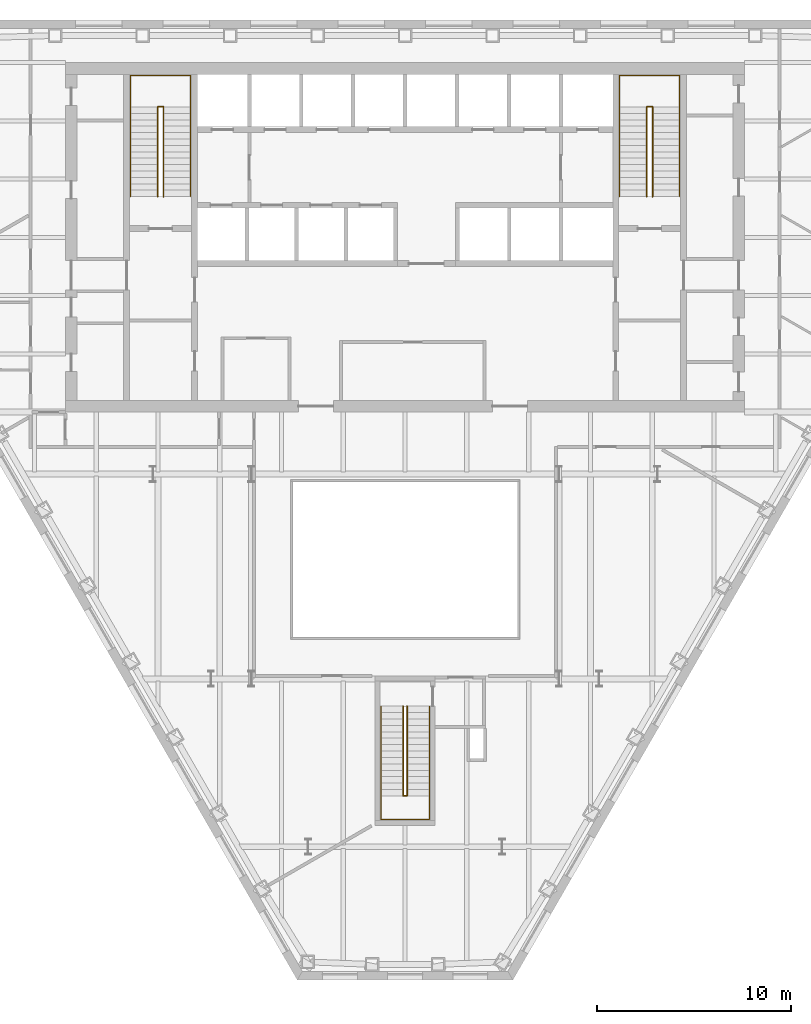
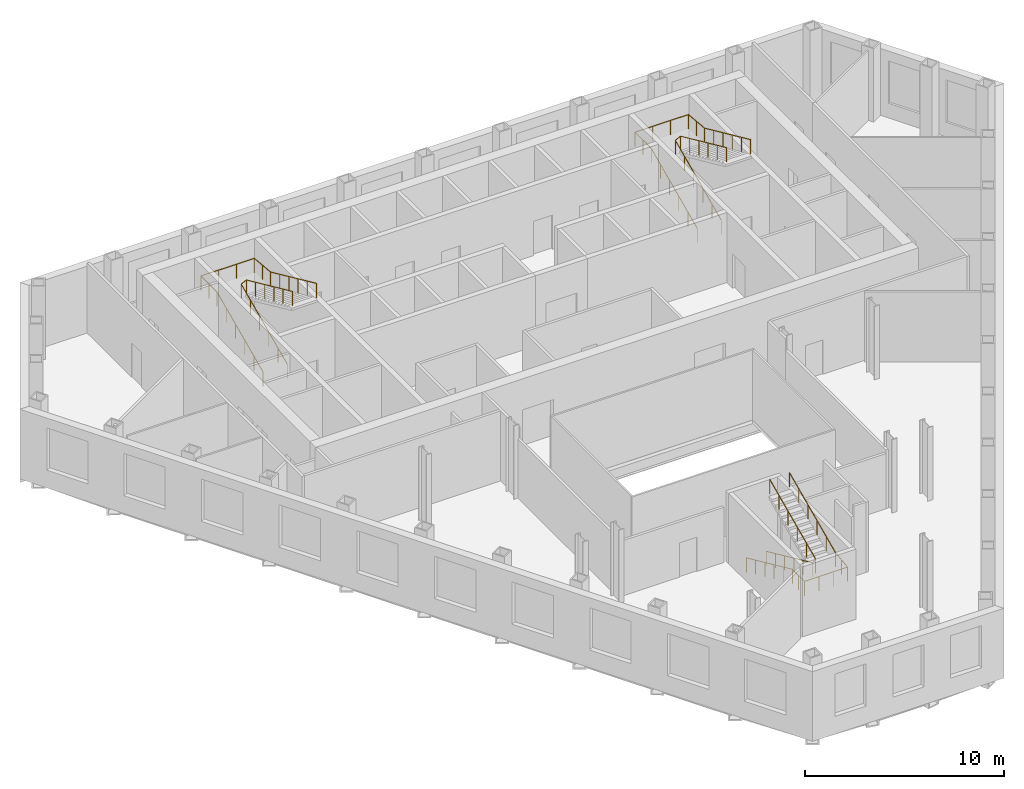
# One storey, part 12 of 12: 6 railings.
"""IFC4 building model written with IfcOpenShell, lengths in metres."""

from ifc_helpers import new_model, si_unit, direction, frame, origin, origin_2d, place, context, subcontext, project, spatial, circle, extrude, material, type_object, element, save


model = new_model("IFC4")

# Units and contexts
model_context = context("Model", 3, precision=1e-05, world=origin(), true_north=direction((0.0, 1.0)))
body_context = subcontext(model_context, "Body", "Model", "MODEL_VIEW")
ifc_project = project(units=[si_unit("LENGTHUNIT", "METRE"), si_unit("AREAUNIT", "SQUARE_METRE"), si_unit("VOLUMEUNIT", "CUBIC_METRE"), si_unit("PLANEANGLEUNIT", "RADIAN"), si_unit("MASSUNIT", "GRAM", prefix="KILO")], contexts=[model_context])

# Site, building, storey
site_placement = place(None, origin())
site = spatial("IfcSite", under=ifc_project, at=site_placement, CompositionType="ELEMENT")
building_placement = place(site_placement, origin())
building = spatial("IfcBuilding", under=site, at=building_placement, Name="Njiva Tower", CompositionType="ELEMENT")
storey_placement = place(building_placement, frame((0.0, 0.0, 60.3)))
storey = spatial("IfcBuildingStorey", under=building, at=storey_placement, Name="L12", CompositionType="ELEMENT", Elevation=60.3)

# Railings
ifc_material = material(Name="Stainless steel", Category="steel")
railing_type = type_object("IfcRailingType", Name="RL1 Stair handrail 900", PredefinedType="HANDRAIL", material=ifc_material)
railing_1_placement = place(storey_placement, frame((-14.15, 11.1, 0.15)))
element("IfcRailing", 1, at=railing_1_placement, inside=storey, type_object=railing_type, Name="Stair A handrail", PredefinedType="HANDRAIL", context=body_context, shape_type="SweptSolid", body=[
    extrude(circle(Radius=0.024, at=origin_2d()), frame((0.0, 0.0, 0.876), z_axis=(0.0, 0.910366477463, 0.413802944301), x_axis=(-1.0, 0.0, 0.0)), (0.0, 0.0, 1.0), 5.0749),
    extrude(circle(Radius=0.024, at=origin_2d()), frame((0.0, 4.62, 2.976), z_axis=(0.0, 1.0, 0.0), x_axis=(-1.0, 0.0, 0.0)), (0.0, 0.0, 1.0), 1.63),
    extrude(circle(Radius=0.024, at=origin_2d()), frame((0.0, 6.25, 2.976), z_axis=(1.0, 0.0, 0.0), x_axis=(0.0, 1.0, 0.0)), (0.0, 0.0, 1.0), 3.1),
    extrude(circle(Radius=0.024, at=origin_2d()), frame((3.1, 6.25, 2.976), z_axis=(0.0, -0.995792447047, 0.091637341753), x_axis=(1.0, 0.0, 0.0)), (0.0, 0.0, 1.0), 1.6369),
    extrude(circle(Radius=0.024, at=origin_2d()), frame((3.1, 4.62, 3.126), z_axis=(0.0, -0.910366477463, 0.413802944301), x_axis=(1.0, 0.0, 0.0)), (0.0, 0.0, 1.0), 5.0749),
    extrude(circle(Radius=0.021, at=origin_2d()), origin(), (0.0, 0.0, 1.0), 0.852),
    extrude(circle(Radius=0.021, at=origin_2d()), frame((0.0, 0.924, 0.42)), (0.0, 0.0, 1.0), 0.852),
    extrude(circle(Radius=0.021, at=origin_2d()), frame((0.0, 1.848, 0.84)), (0.0, 0.0, 1.0), 0.852),
    extrude(circle(Radius=0.021, at=origin_2d()), frame((0.0, 2.772, 1.26)), (0.0, 0.0, 1.0), 0.852),
    extrude(circle(Radius=0.021, at=origin_2d()), frame((0.0, 3.696, 1.68)), (0.0, 0.0, 1.0), 0.852),
    extrude(circle(Radius=0.021, at=origin_2d()), frame((0.0, 4.62, 2.1)), (0.0, 0.0, 1.0), 0.852),
    extrude(circle(Radius=0.021, at=origin_2d()), frame((0.0, 5.435, 2.1)), (0.0, 0.0, 1.0), 0.852),
    extrude(circle(Radius=0.021, at=origin_2d()), frame((0.0, 6.25, 2.1)), (0.0, 0.0, 1.0), 0.852),
    extrude(circle(Radius=0.021, at=origin_2d()), frame((1.0333, 6.25, 2.1)), (0.0, 0.0, 1.0), 0.852),
    extrude(circle(Radius=0.021, at=origin_2d()), frame((2.0667, 6.25, 2.1)), (0.0, 0.0, 1.0), 0.852),
    extrude(circle(Radius=0.021, at=origin_2d()), frame((3.1, 6.25, 2.1)), (0.0, 0.0, 1.0), 0.852),
    extrude(circle(Radius=0.021, at=origin_2d()), frame((3.1, 5.435, 2.175)), (0.0, 0.0, 1.0), 0.852),
    extrude(circle(Radius=0.021, at=origin_2d()), frame((3.1, 4.62, 2.25)), (0.0, 0.0, 1.0), 0.852),
    extrude(circle(Radius=0.021, at=origin_2d()), frame((3.1, 3.696, 2.67)), (0.0, 0.0, 1.0), 0.852),
    extrude(circle(Radius=0.021, at=origin_2d()), frame((3.1, 2.772, 3.09)), (0.0, 0.0, 1.0), 0.852),
    extrude(circle(Radius=0.021, at=origin_2d()), frame((3.1, 1.848, 3.51)), (0.0, 0.0, 1.0), 0.852),
    extrude(circle(Radius=0.021, at=origin_2d()), frame((3.1, 0.924, 3.93)), (0.0, 0.0, 1.0), 0.852),
    extrude(circle(Radius=0.021, at=origin_2d()), frame((3.1, 0.0, 4.35)), (0.0, 0.0, 1.0), 0.852),
])
railing_2_placement = place(storey_placement, frame((-12.75, 11.1, 0.15)))
element("IfcRailing", 2, at=railing_2_placement, inside=storey, type_object=railing_type, Name="Stair A handrail", PredefinedType="HANDRAIL", context=body_context, shape_type="SweptSolid", body=[
    extrude(circle(Radius=0.024, at=origin_2d()), frame((0.0, 0.0, 0.876), z_axis=(0.0, 0.910366477463, 0.413802944301), x_axis=(-1.0, 0.0, 0.0)), (0.0, 0.0, 1.0), 5.0749),
    extrude(circle(Radius=0.024, at=origin_2d()), frame((0.0, 4.62, 2.976), z_axis=(0.894427191, 0.0, 0.4472135955), x_axis=(0.0, 1.0, 0.0)), (0.0, 0.0, 1.0), 0.3354),
    extrude(circle(Radius=0.024, at=origin_2d()), frame((0.3, 4.62, 3.126), z_axis=(0.0, -0.910366477463, 0.413802944301), x_axis=(1.0, 0.0, 0.0)), (0.0, 0.0, 1.0), 5.0749),
    extrude(circle(Radius=0.021, at=origin_2d()), origin(), (0.0, 0.0, 1.0), 0.852),
    extrude(circle(Radius=0.021, at=origin_2d()), frame((0.0, 0.924, 0.42)), (0.0, 0.0, 1.0), 0.852),
    extrude(circle(Radius=0.021, at=origin_2d()), frame((0.0, 1.848, 0.84)), (0.0, 0.0, 1.0), 0.852),
    extrude(circle(Radius=0.021, at=origin_2d()), frame((0.0, 2.772, 1.26)), (0.0, 0.0, 1.0), 0.852),
    extrude(circle(Radius=0.021, at=origin_2d()), frame((0.0, 3.696, 1.68)), (0.0, 0.0, 1.0), 0.852),
    extrude(circle(Radius=0.021, at=origin_2d()), frame((0.0, 4.62, 2.1)), (0.0, 0.0, 1.0), 0.852),
    extrude(circle(Radius=0.021, at=origin_2d()), frame((0.3, 4.62, 2.25)), (0.0, 0.0, 1.0), 0.852),
    extrude(circle(Radius=0.021, at=origin_2d()), frame((0.3, 3.696, 2.67)), (0.0, 0.0, 1.0), 0.852),
    extrude(circle(Radius=0.021, at=origin_2d()), frame((0.3, 2.772, 3.09)), (0.0, 0.0, 1.0), 0.852),
    extrude(circle(Radius=0.021, at=origin_2d()), frame((0.3, 1.848, 3.51)), (0.0, 0.0, 1.0), 0.852),
    extrude(circle(Radius=0.021, at=origin_2d()), frame((0.3, 0.924, 3.93)), (0.0, 0.0, 1.0), 0.852),
    extrude(circle(Radius=0.021, at=origin_2d()), frame((0.3, 0.0, 4.35)), (0.0, 0.0, 1.0), 0.852),
])
railing_3_placement = place(storey_placement, frame((11.05, 11.1, 0.15)))
element("IfcRailing", 3, at=railing_3_placement, inside=storey, type_object=railing_type, Name="Stair B handrail", PredefinedType="HANDRAIL", context=body_context, shape_type="SweptSolid", body=[
    extrude(circle(Radius=0.024, at=origin_2d()), frame((0.0, 0.0, 0.876), z_axis=(0.0, 0.910366477463, 0.413802944301), x_axis=(-1.0, 0.0, 0.0)), (0.0, 0.0, 1.0), 5.0749),
    extrude(circle(Radius=0.024, at=origin_2d()), frame((0.0, 4.62, 2.976), z_axis=(0.0, 1.0, 0.0), x_axis=(-1.0, 0.0, 0.0)), (0.0, 0.0, 1.0), 1.63),
    extrude(circle(Radius=0.024, at=origin_2d()), frame((0.0, 6.25, 2.976), z_axis=(1.0, 0.0, 0.0), x_axis=(0.0, 1.0, 0.0)), (0.0, 0.0, 1.0), 3.1),
    extrude(circle(Radius=0.024, at=origin_2d()), frame((3.1, 6.25, 2.976), z_axis=(0.0, -0.995792447047, 0.091637341753), x_axis=(1.0, 0.0, 0.0)), (0.0, 0.0, 1.0), 1.6369),
    extrude(circle(Radius=0.024, at=origin_2d()), frame((3.1, 4.62, 3.126), z_axis=(0.0, -0.910366477463, 0.413802944301), x_axis=(1.0, 0.0, 0.0)), (0.0, 0.0, 1.0), 5.0749),
    extrude(circle(Radius=0.021, at=origin_2d()), origin(), (0.0, 0.0, 1.0), 0.852),
    extrude(circle(Radius=0.021, at=origin_2d()), frame((0.0, 0.924, 0.42)), (0.0, 0.0, 1.0), 0.852),
    extrude(circle(Radius=0.021, at=origin_2d()), frame((0.0, 1.848, 0.84)), (0.0, 0.0, 1.0), 0.852),
    extrude(circle(Radius=0.021, at=origin_2d()), frame((0.0, 2.772, 1.26)), (0.0, 0.0, 1.0), 0.852),
    extrude(circle(Radius=0.021, at=origin_2d()), frame((0.0, 3.696, 1.68)), (0.0, 0.0, 1.0), 0.852),
    extrude(circle(Radius=0.021, at=origin_2d()), frame((0.0, 4.62, 2.1)), (0.0, 0.0, 1.0), 0.852),
    extrude(circle(Radius=0.021, at=origin_2d()), frame((0.0, 5.435, 2.1)), (0.0, 0.0, 1.0), 0.852),
    extrude(circle(Radius=0.021, at=origin_2d()), frame((0.0, 6.25, 2.1)), (0.0, 0.0, 1.0), 0.852),
    extrude(circle(Radius=0.021, at=origin_2d()), frame((1.0333, 6.25, 2.1)), (0.0, 0.0, 1.0), 0.852),
    extrude(circle(Radius=0.021, at=origin_2d()), frame((2.0667, 6.25, 2.1)), (0.0, 0.0, 1.0), 0.852),
    extrude(circle(Radius=0.021, at=origin_2d()), frame((3.1, 6.25, 2.1)), (0.0, 0.0, 1.0), 0.852),
    extrude(circle(Radius=0.021, at=origin_2d()), frame((3.1, 5.435, 2.175)), (0.0, 0.0, 1.0), 0.852),
    extrude(circle(Radius=0.021, at=origin_2d()), frame((3.1, 4.62, 2.25)), (0.0, 0.0, 1.0), 0.852),
    extrude(circle(Radius=0.021, at=origin_2d()), frame((3.1, 3.696, 2.67)), (0.0, 0.0, 1.0), 0.852),
    extrude(circle(Radius=0.021, at=origin_2d()), frame((3.1, 2.772, 3.09)), (0.0, 0.0, 1.0), 0.852),
    extrude(circle(Radius=0.021, at=origin_2d()), frame((3.1, 1.848, 3.51)), (0.0, 0.0, 1.0), 0.852),
    extrude(circle(Radius=0.021, at=origin_2d()), frame((3.1, 0.924, 3.93)), (0.0, 0.0, 1.0), 0.852),
    extrude(circle(Radius=0.021, at=origin_2d()), frame((3.1, 0.0, 4.35)), (0.0, 0.0, 1.0), 0.852),
])
railing_4_placement = place(storey_placement, frame((12.45, 11.1, 0.15)))
element("IfcRailing", 4, at=railing_4_placement, inside=storey, type_object=railing_type, Name="Stair B handrail", PredefinedType="HANDRAIL", context=body_context, shape_type="SweptSolid", body=[
    extrude(circle(Radius=0.024, at=origin_2d()), frame((0.0, 0.0, 0.876), z_axis=(0.0, 0.910366477463, 0.413802944301), x_axis=(-1.0, 0.0, 0.0)), (0.0, 0.0, 1.0), 5.0749),
    extrude(circle(Radius=0.024, at=origin_2d()), frame((0.0, 4.62, 2.976), z_axis=(0.894427191, 0.0, 0.4472135955), x_axis=(0.0, 1.0, 0.0)), (0.0, 0.0, 1.0), 0.3354),
    extrude(circle(Radius=0.024, at=origin_2d()), frame((0.3, 4.62, 3.126), z_axis=(0.0, -0.910366477463, 0.413802944301), x_axis=(1.0, 0.0, 0.0)), (0.0, 0.0, 1.0), 5.0749),
    extrude(circle(Radius=0.021, at=origin_2d()), origin(), (0.0, 0.0, 1.0), 0.852),
    extrude(circle(Radius=0.021, at=origin_2d()), frame((0.0, 0.924, 0.42)), (0.0, 0.0, 1.0), 0.852),
    extrude(circle(Radius=0.021, at=origin_2d()), frame((0.0, 1.848, 0.84)), (0.0, 0.0, 1.0), 0.852),
    extrude(circle(Radius=0.021, at=origin_2d()), frame((0.0, 2.772, 1.26)), (0.0, 0.0, 1.0), 0.852),
    extrude(circle(Radius=0.021, at=origin_2d()), frame((0.0, 3.696, 1.68)), (0.0, 0.0, 1.0), 0.852),
    extrude(circle(Radius=0.021, at=origin_2d()), frame((0.0, 4.62, 2.1)), (0.0, 0.0, 1.0), 0.852),
    extrude(circle(Radius=0.021, at=origin_2d()), frame((0.3, 4.62, 2.25)), (0.0, 0.0, 1.0), 0.852),
    extrude(circle(Radius=0.021, at=origin_2d()), frame((0.3, 3.696, 2.67)), (0.0, 0.0, 1.0), 0.852),
    extrude(circle(Radius=0.021, at=origin_2d()), frame((0.3, 2.772, 3.09)), (0.0, 0.0, 1.0), 0.852),
    extrude(circle(Radius=0.021, at=origin_2d()), frame((0.3, 1.848, 3.51)), (0.0, 0.0, 1.0), 0.852),
    extrude(circle(Radius=0.021, at=origin_2d()), frame((0.3, 0.924, 3.93)), (0.0, 0.0, 1.0), 0.852),
    extrude(circle(Radius=0.021, at=origin_2d()), frame((0.3, 0.0, 4.35)), (0.0, 0.0, 1.0), 0.852),
])
railing_5_placement = place(storey_placement, frame((-1.25, -15.16, 0.15)))
element("IfcRailing", 5, at=railing_5_placement, inside=storey, type_object=railing_type, Name="Stair C handrail", PredefinedType="HANDRAIL", context=body_context, shape_type="SweptSolid", body=[
    extrude(circle(Radius=0.024, at=origin_2d()), frame((0.0, 0.0, 0.876), z_axis=(0.0, -0.910366477463, 0.413802944301), x_axis=(1.0, 0.0, 0.0)), (0.0, 0.0, 1.0), 5.0749),
    extrude(circle(Radius=0.024, at=origin_2d()), frame((0.0, -4.62, 2.976), z_axis=(0.0, -1.0, 0.0), x_axis=(1.0, 0.0, 0.0)), (0.0, 0.0, 1.0), 1.22),
    extrude(circle(Radius=0.024, at=origin_2d()), frame((0.0, -5.84, 2.976), z_axis=(1.0, 0.0, 0.0), x_axis=(0.0, 1.0, 0.0)), (0.0, 0.0, 1.0), 2.5),
    extrude(circle(Radius=0.024, at=origin_2d()), frame((2.5, -5.84, 2.976), z_axis=(0.0, 0.992526177815, 0.122031907108), x_axis=(-1.0, 0.0, 0.0)), (0.0, 0.0, 1.0), 1.2292),
    extrude(circle(Radius=0.024, at=origin_2d()), frame((2.5, -4.62, 3.126), z_axis=(0.0, 0.910366477463, 0.413802944301), x_axis=(-1.0, 0.0, 0.0)), (0.0, 0.0, 1.0), 5.0749),
    extrude(circle(Radius=0.021, at=origin_2d()), origin(), (0.0, 0.0, 1.0), 0.852),
    extrude(circle(Radius=0.021, at=origin_2d()), frame((0.0, -0.924, 0.42)), (0.0, 0.0, 1.0), 0.852),
    extrude(circle(Radius=0.021, at=origin_2d()), frame((0.0, -1.848, 0.84)), (0.0, 0.0, 1.0), 0.852),
    extrude(circle(Radius=0.021, at=origin_2d()), frame((0.0, -2.772, 1.26)), (0.0, 0.0, 1.0), 0.852),
    extrude(circle(Radius=0.021, at=origin_2d()), frame((0.0, -3.696, 1.68)), (0.0, 0.0, 1.0), 0.852),
    extrude(circle(Radius=0.021, at=origin_2d()), frame((0.0, -4.62, 2.1)), (0.0, 0.0, 1.0), 0.852),
    extrude(circle(Radius=0.021, at=origin_2d()), frame((0.0, -5.23, 2.1)), (0.0, 0.0, 1.0), 0.852),
    extrude(circle(Radius=0.021, at=origin_2d()), frame((0.0, -5.84, 2.1)), (0.0, 0.0, 1.0), 0.852),
    extrude(circle(Radius=0.021, at=origin_2d()), frame((0.8333, -5.84, 2.1)), (0.0, 0.0, 1.0), 0.852),
    extrude(circle(Radius=0.021, at=origin_2d()), frame((1.6667, -5.84, 2.1)), (0.0, 0.0, 1.0), 0.852),
    extrude(circle(Radius=0.021, at=origin_2d()), frame((2.5, -5.84, 2.1)), (0.0, 0.0, 1.0), 0.852),
    extrude(circle(Radius=0.021, at=origin_2d()), frame((2.5, -5.23, 2.175)), (0.0, 0.0, 1.0), 0.852),
    extrude(circle(Radius=0.021, at=origin_2d()), frame((2.5, -4.62, 2.25)), (0.0, 0.0, 1.0), 0.852),
    extrude(circle(Radius=0.021, at=origin_2d()), frame((2.5, -3.696, 2.67)), (0.0, 0.0, 1.0), 0.852),
    extrude(circle(Radius=0.021, at=origin_2d()), frame((2.5, -2.772, 3.09)), (0.0, 0.0, 1.0), 0.852),
    extrude(circle(Radius=0.021, at=origin_2d()), frame((2.5, -1.848, 3.51)), (0.0, 0.0, 1.0), 0.852),
    extrude(circle(Radius=0.021, at=origin_2d()), frame((2.5, -0.924, 3.93)), (0.0, 0.0, 1.0), 0.852),
    extrude(circle(Radius=0.021, at=origin_2d()), frame((2.5, 0.0, 4.35)), (0.0, 0.0, 1.0), 0.852),
])
railing_6_placement = place(storey_placement, frame((-0.1, -15.16, 0.15)))
element("IfcRailing", 6, at=railing_6_placement, inside=storey, type_object=railing_type, Name="Stair C handrail", PredefinedType="HANDRAIL", context=body_context, shape_type="SweptSolid", body=[
    extrude(circle(Radius=0.024, at=origin_2d()), frame((0.0, 0.0, 0.876), z_axis=(0.0, -0.910366477463, 0.413802944301), x_axis=(1.0, 0.0, 0.0)), (0.0, 0.0, 1.0), 5.0749),
    extrude(circle(Radius=0.024, at=origin_2d()), frame((0.0, -4.62, 2.976), z_axis=(0.8, 0.0, 0.6), x_axis=(0.0, 1.0, 0.0)), (0.0, 0.0, 1.0), 0.25),
    extrude(circle(Radius=0.024, at=origin_2d()), frame((0.2, -4.62, 3.126), z_axis=(0.0, 0.910366477463, 0.413802944301), x_axis=(-1.0, 0.0, 0.0)), (0.0, 0.0, 1.0), 5.0749),
    extrude(circle(Radius=0.021, at=origin_2d()), origin(), (0.0, 0.0, 1.0), 0.852),
    extrude(circle(Radius=0.021, at=origin_2d()), frame((0.0, -0.924, 0.42)), (0.0, 0.0, 1.0), 0.852),
    extrude(circle(Radius=0.021, at=origin_2d()), frame((0.0, -1.848, 0.84)), (0.0, 0.0, 1.0), 0.852),
    extrude(circle(Radius=0.021, at=origin_2d()), frame((0.0, -2.772, 1.26)), (0.0, 0.0, 1.0), 0.852),
    extrude(circle(Radius=0.021, at=origin_2d()), frame((0.0, -3.696, 1.68)), (0.0, 0.0, 1.0), 0.852),
    extrude(circle(Radius=0.021, at=origin_2d()), frame((0.0, -4.62, 2.1)), (0.0, 0.0, 1.0), 0.852),
    extrude(circle(Radius=0.021, at=origin_2d()), frame((0.2, -4.62, 2.25)), (0.0, 0.0, 1.0), 0.852),
    extrude(circle(Radius=0.021, at=origin_2d()), frame((0.2, -3.696, 2.67)), (0.0, 0.0, 1.0), 0.852),
    extrude(circle(Radius=0.021, at=origin_2d()), frame((0.2, -2.772, 3.09)), (0.0, 0.0, 1.0), 0.852),
    extrude(circle(Radius=0.021, at=origin_2d()), frame((0.2, -1.848, 3.51)), (0.0, 0.0, 1.0), 0.852),
    extrude(circle(Radius=0.021, at=origin_2d()), frame((0.2, -0.924, 3.93)), (0.0, 0.0, 1.0), 0.852),
    extrude(circle(Radius=0.021, at=origin_2d()), frame((0.2, 0.0, 4.35)), (0.0, 0.0, 1.0), 0.852),
])

save(model, "model.ifc")
